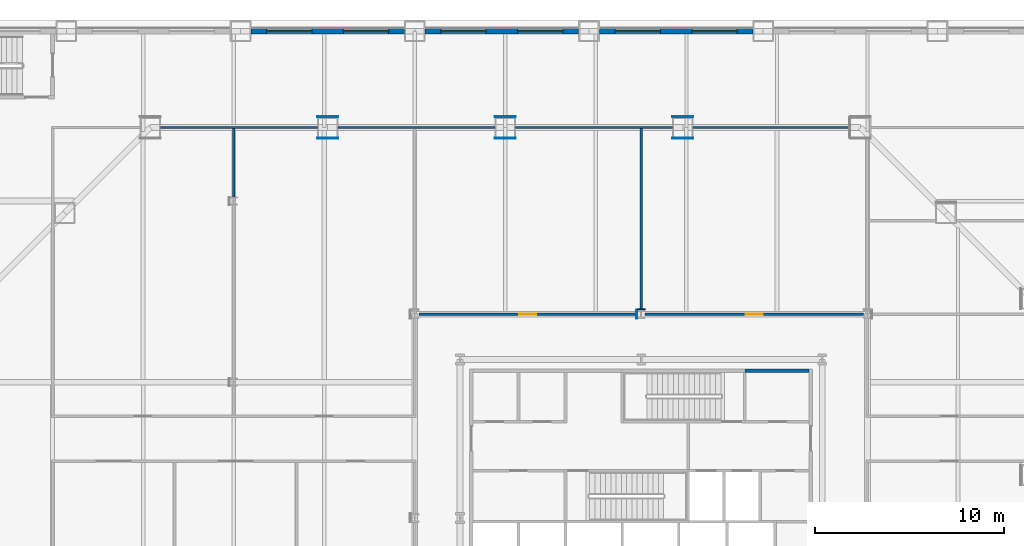
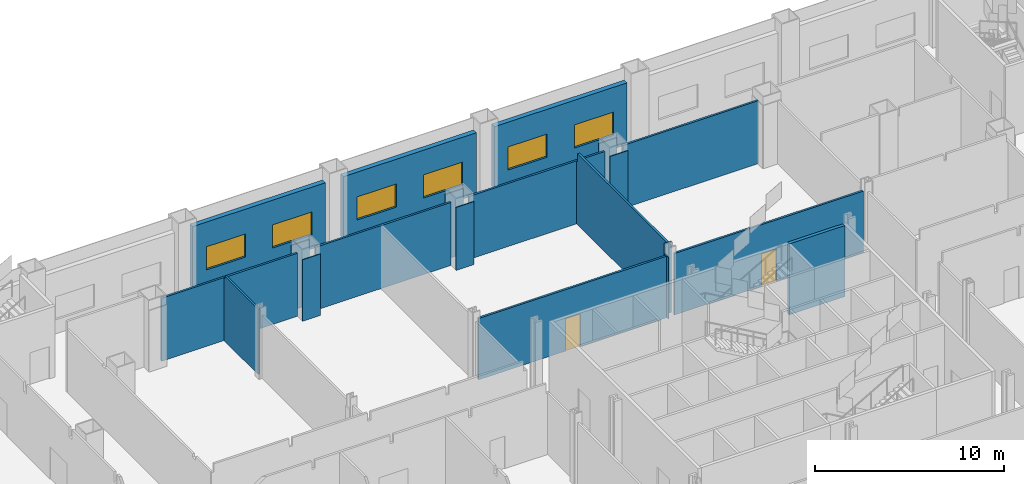
# One storey, part 16 of 26: 20 walls, 6 windows, 2 doors, 8 openings.
"""IFC4 building model written with IfcOpenShell, lengths in metres."""

from ifc_helpers import new_model, si_unit, direction, frame, frame_2d, origin, place, context, subcontext, project, spatial, polyline, rectangle, outline, extrude, material, layer, layer_set, type_object, element, fill, save


model = new_model("IFC4")

# Units and contexts
model_context = context("Model", 3, precision=1e-05, world=origin(), true_north=direction((0.0, 1.0)))
body_context = subcontext(model_context, "Body", "Model", "MODEL_VIEW")
ifc_project = project(units=[si_unit("LENGTHUNIT", "METRE"), si_unit("AREAUNIT", "SQUARE_METRE"), si_unit("VOLUMEUNIT", "CUBIC_METRE"), si_unit("PLANEANGLEUNIT", "RADIAN"), si_unit("MASSUNIT", "GRAM", prefix="KILO")], contexts=[model_context])

# Site, building, storey
site_placement = place(None, origin())
site = spatial("IfcSite", under=ifc_project, at=site_placement, CompositionType="ELEMENT")
building_placement = place(site_placement, origin())
building = spatial("IfcBuilding", under=site, at=building_placement, Name="Cairn Pilgrim Tower", CompositionType="ELEMENT")
storey_placement = place(building_placement, frame((0.0, 0.0, 25.800048828125)))
storey = spatial("IfcBuildingStorey", under=building, at=storey_placement, Name="L04", CompositionType="ELEMENT", Elevation=25.800048828125)

# Wall
ifc_material_1 = material(Name="Concrete C32/40", Category="concrete")
ifc_layer_1 = layer(ifc_material_1, 0.199951171875)
ifc_layer_set_1 = layer_set([ifc_layer_1], Name="CORE OUTER WALL 200 EI 120")
wall_type_1 = type_object("IfcWallType", Name="CORE OUTER WALL 200 EI 120", PredefinedType="SOLIDWALL", material=ifc_layer_set_1)
wall_1_placement = place(storey_placement, frame((12.699951171875, 10.199951171875, 0.0), z_axis=(0.0, 0.0, 1.0), x_axis=(1.0, 0.0, 0.0)))
element("IfcWall", 1, at=wall_1_placement, inside=storey, type_object=wall_type_1, Name="CW:L04:H11-3", PredefinedType="SOLIDWALL", context=body_context, shape_type="SweptSolid", body=[
    extrude(rectangle(XDim=3.400146484375, YDim=0.199951171875, at=frame_2d((1.7001953125, 0.0))), origin(), (0.0, 0.0, 1.0), 4.599853515625),
])

# Wall, opening, door
ifc_material_2 = material(Name="Gypsum partition")
ifc_layer_2 = layer(ifc_material_2, 0.125)
ifc_layer_set_2 = layer_set([ifc_layer_2], Name="PARTITION 125 DRYWALL EI 60")
wall_type_2 = type_object("IfcWallType", Name="PARTITION 125 DRYWALL EI 60", PredefinedType="PARTITIONING", material=ifc_layer_set_2)
wall_2_placement = place(storey_placement, frame((-4.587890625, 13.199951171875, 0.0), z_axis=(0.0, 0.0, 1.0), x_axis=(1.0, 0.0, 0.0)))
wall_2 = element("IfcWall", 2, at=wall_2_placement, inside=storey, type_object=wall_type_2, Name="PARTITION W056", PredefinedType="PARTITIONING", context=body_context, shape_type="SweptSolid", body=[
    extrude(rectangle(XDim=11.575927734375, YDim=0.125, at=frame_2d((5.7880859375, 0.0))), origin(), (0.0, 0.0, 1.0), 3.97998046875),
])
opening_1_placement = place(wall_2_placement, frame((5.337890625, 0.0, 0.0)))
opening_1 = element("IfcOpeningElement", 3, at=opening_1_placement, cuts=wall_2, Name="Opening 0406", PredefinedType="OPENING", context=body_context, shape_type="SweptSolid", body=[
    extrude(rectangle(XDim=0.89990234375, YDim=2.10009765625, at=frame_2d((0.449951171875, 1.050048828125))), frame((0.0, 0.072509765625, 0.0), z_axis=(0.0, -1.0, 0.0), x_axis=(1.0, 0.0, 0.0)), (0.0, 0.0, 1.0), 0.14501953125),
])
ifc_material_3 = material(Name="Timber door leaf", Category="wood")
door_type = type_object("IfcDoorType", Name="ROOM DOOR 900x2100 FD30S", OperationType="NOTDEFINED", PredefinedType="DOOR", material=ifc_material_3)
door_1_placement = place(opening_1_placement, frame((0.89990234375, 0.0, 0.0), z_axis=(0.0, 0.0, 1.0), x_axis=(-1.0, 0.0, 0.0)))
door_1 = element("IfcDoor", 4, at=door_1_placement, inside=storey, type_object=door_type, Name="DOOR 0406", OperationType="SINGLE_SWING_RIGHT", OverallHeight=2.10009765625, OverallWidth=0.89990234375, PredefinedType="DOOR", context=body_context, shape_type="SweptSolid", body=[
    extrude(rectangle(XDim=0.89990234375, YDim=2.10009765625, at=frame_2d((0.449951171875, 1.050048828125))), frame((0.0, 0.02490234375, 0.0), z_axis=(0.0, -1.0, 0.0), x_axis=(1.0, 0.0, 0.0)), (0.0, 0.0, 1.0), 0.050048828125),
])
fill(opening_1, door_1)

wall_3_placement = place(storey_placement, frame((7.412109375, 13.199951171875, 0.0), z_axis=(0.0, 0.0, 1.0), x_axis=(1.0, 0.0, 0.0)))
wall_3 = element("IfcWall", 5, at=wall_3_placement, inside=storey, type_object=wall_type_2, Name="PARTITION W057", PredefinedType="PARTITIONING", context=body_context, shape_type="SweptSolid", body=[
    extrude(rectangle(XDim=11.575927734375, YDim=0.125, at=frame_2d((5.7880859375, 0.0))), origin(), (0.0, 0.0, 1.0), 3.97998046875),
])
opening_2_placement = place(wall_3_placement, frame((5.337890625, 0.0, 0.0)))
opening_2 = element("IfcOpeningElement", 6, at=opening_2_placement, cuts=wall_3, Name="Opening 0407", PredefinedType="OPENING", context=body_context, shape_type="SweptSolid", body=[
    extrude(rectangle(XDim=0.89990234375, YDim=2.10009765625, at=frame_2d((0.449951171875, 1.050048828125))), frame((0.0, 0.072509765625, 0.0), z_axis=(0.0, -1.0, 0.0), x_axis=(1.0, 0.0, 0.0)), (0.0, 0.0, 1.0), 0.14501953125),
])
door_2_placement = place(opening_2_placement, frame((0.89990234375, 0.0, 0.0), z_axis=(0.0, 0.0, 1.0), x_axis=(-1.0, 0.0, 0.0)))
door_2 = element("IfcDoor", 7, at=door_2_placement, inside=storey, type_object=door_type, Name="DOOR 0407", OperationType="SINGLE_SWING_RIGHT", OverallHeight=2.10009765625, OverallWidth=0.89990234375, PredefinedType="DOOR", context=body_context, shape_type="SweptSolid", body=[
    extrude(rectangle(XDim=0.89990234375, YDim=2.10009765625, at=frame_2d((0.449951171875, 1.050048828125))), frame((0.0, 0.02490234375, 0.0), z_axis=(0.0, -1.0, 0.0), x_axis=(1.0, 0.0, 0.0)), (0.0, 0.0, 1.0), 0.050048828125),
])
fill(opening_2, door_2)

# Walls
wall_4_placement = place(storey_placement, frame((7.199951171875, 13.43701171875, 0.0), z_axis=(0.0, 0.0, 1.0), x_axis=(0.0, 1.0, 0.0)))
element("IfcWall", 8, at=wall_4_placement, inside=storey, type_object=wall_type_2, Name="PARTITION W060", PredefinedType="PARTITIONING", context=body_context, shape_type="SweptSolid", body=[
    extrude(outline(polyline([(0.0, 0.0), (9.6005859375, 0.0), (9.6005859375, 4.079833984375), (9.512939453125, 4.079833984375), (9.510986328125, 4.599853515625), (0.0, 4.599853515625), (0.0, 0.0)])), frame((0.0, 0.0625, 0.0), z_axis=(0.0, -1.0, 0.0), x_axis=(1.0, 0.0, 0.0)), (0.0, 0.0, 1.0), 0.125),
])
wall_5_placement = place(storey_placement, frame((-14.39990234375, 19.41259765625, 0.0), z_axis=(0.0, 0.0, 1.0), x_axis=(0.0, 1.0, 0.0)))
element("IfcWall", 9, at=wall_5_placement, inside=storey, type_object=wall_type_2, Name="PARTITION W068", PredefinedType="PARTITIONING", context=body_context, shape_type="SweptSolid", body=[
    extrude(outline(polyline([(0.0, 0.0), (3.625, 0.0), (3.625, 4.079833984375), (3.53759765625, 4.079833984375), (3.535400390625, 4.219970703125), (0.0, 4.219970703125), (0.0, 0.0)])), frame((0.0, 0.0625, 0.0), z_axis=(0.0, -1.0, 0.0), x_axis=(1.0, 0.0, 0.0)), (0.0, 0.0, 1.0), 0.125),
])
for number, where, z_axis, x_axis, name in (
    (10, (-18.277099609375, 23.10009765625, 0.0), (0.0, 0.0, 1.0), (1.0, 0.0, 0.0), "PARTITION W070"),
    (11, (-8.863525390625, 23.10009765625, 0.0), (0.0, 0.0, 1.0), (1.0, 0.0, 0.0), "PARTITION W071"),
    (12, (0.550048828125, 23.10009765625, 0.0), (0.0, 0.0, 1.0), (1.0, 0.0, 0.0), "PARTITION W072"),
    (13, (9.963623046875, 23.10009765625, 0.0), (0.0, 0.0, 1.0), (1.0, 0.0, 0.0), "PARTITION W073"),
):
    element("IfcWall", number, at=place(storey_placement, frame(where, z_axis=z_axis, x_axis=x_axis)), inside=storey, type_object=wall_type_2, Name=name, PredefinedType="PARTITIONING", context=body_context, shape_type="SweptSolid", body=[
        extrude(rectangle(XDim=8.3134765625, YDim=0.125, at=frame_2d((4.15673828125, 0.0))), origin(), (0.0, 0.0, 1.0), 4.079833984375),
    ])
ifc_layer_3 = layer(ifc_material_2, 0.050048828125)
ifc_layer_set_3 = layer_set([ifc_layer_3], Name="PARTITION 50 DRYWALL EI 60")
wall_type_3 = type_object("IfcWallType", Name="PARTITION 50 DRYWALL EI 60", PredefinedType="PARTITIONING", material=ifc_layer_set_3)
wall_6_placement = place(storey_placement, frame((6.988037109375, 13.4619140625, 0.0), z_axis=(0.0, 0.0, 1.0), x_axis=(1.0, 0.0, 0.0)))
element("IfcWall", 14, at=wall_6_placement, inside=storey, type_object=wall_type_3, Name="COLUMN CASING WC34", PredefinedType="PARTITIONING", context=body_context, shape_type="SweptSolid", body=[
    extrude(rectangle(XDim=0.424072265625, YDim=0.050048828125, at=frame_2d((0.2119140625, 0.0))), origin(), (0.0, 0.0, 1.0), 4.599853515625),
])
wall_7_placement = place(storey_placement, frame((6.962890625, 12.962890625, 0.0), z_axis=(0.0, 0.0, 1.0), x_axis=(0.0, 1.0, 0.0)))
element("IfcWall", 15, at=wall_7_placement, inside=storey, type_object=wall_type_3, Name="COLUMN CASING WC36", PredefinedType="PARTITIONING", context=body_context, shape_type="SweptSolid", body=[
    extrude(rectangle(XDim=0.47412109375, YDim=0.050048828125, at=frame_2d((0.237060546875, 0.0))), origin(), (0.0, 0.0, 1.0), 3.97998046875),
])
wall_8_placement = place(storey_placement, frame((-9.963623046875, 22.52490234375, 0.0), z_axis=(0.0, 0.0, 1.0), x_axis=(1.0, 0.0, 0.0)))
element("IfcWall", 16, at=wall_8_placement, inside=storey, type_object=wall_type_3, Name="COLUMN CASING WC41", PredefinedType="PARTITIONING", context=body_context, shape_type="SweptSolid", body=[
    extrude(rectangle(XDim=1.10009765625, YDim=0.050048828125, at=frame_2d((0.550048828125, 0.0))), origin(), (0.0, 0.0, 1.0), 3.97998046875),
])
wall_9_placement = place(storey_placement, frame((-9.963623046875, 23.675048828125, 0.0), z_axis=(0.0, 0.0, 1.0), x_axis=(1.0, 0.0, 0.0)))
element("IfcWall", 17, at=wall_9_placement, inside=storey, type_object=wall_type_3, Name="COLUMN CASING WC42", PredefinedType="PARTITIONING", context=body_context, shape_type="SweptSolid", body=[
    extrude(rectangle(XDim=1.10009765625, YDim=0.050048828125, at=frame_2d((0.550048828125, 0.0))), origin(), (0.0, 0.0, 1.0), 4.219970703125),
])
wall_10_placement = place(storey_placement, frame((-0.550048828125, 22.52490234375, 0.0), z_axis=(0.0, 0.0, 1.0), x_axis=(1.0, 0.0, 0.0)))
element("IfcWall", 18, at=wall_10_placement, inside=storey, type_object=wall_type_3, Name="COLUMN CASING WC43", PredefinedType="PARTITIONING", context=body_context, shape_type="SweptSolid", body=[
    extrude(rectangle(XDim=1.10009765625, YDim=0.050048828125, at=frame_2d((0.550048828125, 0.0))), origin(), (0.0, 0.0, 1.0), 4.079833984375),
])
wall_11_placement = place(storey_placement, frame((-0.550048828125, 23.675048828125, 0.0), z_axis=(0.0, 0.0, 1.0), x_axis=(1.0, 0.0, 0.0)))
element("IfcWall", 19, at=wall_11_placement, inside=storey, type_object=wall_type_3, Name="COLUMN CASING WC44", PredefinedType="PARTITIONING", context=body_context, shape_type="SweptSolid", body=[
    extrude(rectangle(XDim=1.10009765625, YDim=0.050048828125, at=frame_2d((0.550048828125, 0.0))), origin(), (0.0, 0.0, 1.0), 4.219970703125),
])
wall_12_placement = place(storey_placement, frame((8.863525390625, 22.52490234375, 0.0), z_axis=(0.0, 0.0, 1.0), x_axis=(1.0, 0.0, 0.0)))
element("IfcWall", 20, at=wall_12_placement, inside=storey, type_object=wall_type_3, Name="COLUMN CASING WC45", PredefinedType="PARTITIONING", context=body_context, shape_type="SweptSolid", body=[
    extrude(rectangle(XDim=1.10009765625, YDim=0.050048828125, at=frame_2d((0.550048828125, 0.0))), origin(), (0.0, 0.0, 1.0), 4.079833984375),
])
wall_13_placement = place(storey_placement, frame((8.863525390625, 23.675048828125, 0.0), z_axis=(0.0, 0.0, 1.0), x_axis=(1.0, 0.0, 0.0)))
element("IfcWall", 21, at=wall_13_placement, inside=storey, type_object=wall_type_3, Name="COLUMN CASING WC46", PredefinedType="PARTITIONING", context=body_context, shape_type="SweptSolid", body=[
    extrude(rectangle(XDim=1.10009765625, YDim=0.050048828125, at=frame_2d((0.550048828125, 0.0))), origin(), (0.0, 0.0, 1.0), 4.219970703125),
])

# Wall, openings, windows
ifc_material_4 = material(Name="Concrete C35/45 backup wall with bronze aluminium cladding", Category="concrete")
ifc_layer_4 = layer(ifc_material_4, 0.300048828125)
ifc_layer_set_4 = layer_set([ifc_layer_4], Name="PODIUM WALL 300 BRONZE-CLAD")
wall_type_4 = type_object("IfcWallType", Name="PODIUM WALL 300 BRONZE-CLAD", PredefinedType="SOLIDWALL", material=ifc_layer_set_4)
wall_14_placement = place(storey_placement, frame((13.125732421875, 28.199951171875, 0.0), z_axis=(0.0, 0.0, 1.0), x_axis=(-1.0, 0.0, 0.0)))
wall_14 = element("IfcWall", 22, at=wall_14_placement, inside=storey, type_object=wall_type_4, Name="PODIUM EXTERNAL WALL N3-N4", PredefinedType="SOLIDWALL", context=body_context, shape_type="SweptSolid", body=[
    extrude(rectangle(XDim=8.137939453125, YDim=0.300048828125, at=frame_2d((4.06884765625, 0.0))), origin(), (0.0, 0.0, 1.0), 4.0),
])
opening_3_placement = place(wall_14_placement, frame((0.83447265625, 0.0, 0.89990234375)))
opening_3 = element("IfcOpeningElement", 23, at=opening_3_placement, cuts=wall_14, Name="Opening PW15", PredefinedType="OPENING", context=body_context, shape_type="SweptSolid", body=[
    extrude(rectangle(XDim=2.39990234375, YDim=1.5, at=frame_2d((1.199951171875, 0.75))), frame((0.0, 0.16015625, 0.0), z_axis=(0.0, -1.0, 0.0), x_axis=(1.0, 0.0, 0.0)), (0.0, 0.0, 1.0), 0.320068359375),
])
opening_4_placement = place(wall_14_placement, frame((4.9033203125, 0.0, 0.89990234375)))
opening_4 = element("IfcOpeningElement", 24, at=opening_4_placement, cuts=wall_14, Name="Opening PW15", PredefinedType="OPENING", context=body_context, shape_type="SweptSolid", body=[
    extrude(rectangle(XDim=2.39990234375, YDim=1.5, at=frame_2d((1.199951171875, 0.75))), frame((0.0, 0.16015625, 0.0), z_axis=(0.0, -1.0, 0.0), x_axis=(1.0, 0.0, 0.0)), (0.0, 0.0, 1.0), 0.320068359375),
])
ifc_material_5 = material(Name="Bronze anodised aluminium frame with tinted low-E glass", Category="aluminium")
window_type = type_object("IfcWindowType", Name="PODIUM FIXED WINDOW 2400x1500", PartitioningType="SINGLE_PANEL", PredefinedType="WINDOW", material=ifc_material_5)
window_1_placement = place(opening_3_placement, origin())
window_1 = element("IfcWindow", 25, at=window_1_placement, inside=storey, type_object=window_type, Name="PODIUM WINDOW", OverallHeight=1.5, OverallWidth=2.39990234375, PartitioningType="SINGLE_PANEL", PredefinedType="WINDOW", context=body_context, shape_type="SweptSolid", body=[
    extrude(rectangle(XDim=2.39990234375, YDim=1.5, at=frame_2d((1.199951171875, 0.75))), frame((0.0, 0.030029296875, 0.0), z_axis=(0.0, -1.0, 0.0), x_axis=(1.0, 0.0, 0.0)), (0.0, 0.0, 1.0), 0.06005859375),
])
fill(opening_3, window_1)
window_2_placement = place(opening_4_placement, origin())
window_2 = element("IfcWindow", 26, at=window_2_placement, inside=storey, type_object=window_type, Name="PODIUM WINDOW", OverallHeight=1.5, OverallWidth=2.39990234375, PartitioningType="SINGLE_PANEL", PredefinedType="WINDOW", context=body_context, shape_type="SweptSolid", body=[
    extrude(rectangle(XDim=2.39990234375, YDim=1.5, at=frame_2d((1.199951171875, 0.75))), frame((0.0, 0.030029296875, 0.0), z_axis=(0.0, -1.0, 0.0), x_axis=(1.0, 0.0, 0.0)), (0.0, 0.0, 1.0), 0.06005859375),
])
fill(opening_4, window_2)

wall_15_placement = place(storey_placement, frame((3.887939453125, 28.199951171875, 0.0), z_axis=(0.0, 0.0, 1.0), x_axis=(-1.0, 0.0, 0.0)))
wall_15 = element("IfcWall", 27, at=wall_15_placement, inside=storey, type_object=wall_type_4, Name="PODIUM EXTERNAL WALL N4-N5", PredefinedType="SOLIDWALL", context=body_context, shape_type="SweptSolid", body=[
    extrude(rectangle(XDim=8.137939453125, YDim=0.300048828125, at=frame_2d((4.06884765625, 0.0))), origin(), (0.0, 0.0, 1.0), 4.0),
])
opening_5_placement = place(wall_15_placement, frame((0.83447265625, 0.0, 0.89990234375)))
opening_5 = element("IfcOpeningElement", 28, at=opening_5_placement, cuts=wall_15, Name="Opening PW15", PredefinedType="OPENING", context=body_context, shape_type="SweptSolid", body=[
    extrude(rectangle(XDim=2.39990234375, YDim=1.5, at=frame_2d((1.199951171875, 0.75))), frame((0.0, 0.16015625, 0.0), z_axis=(0.0, -1.0, 0.0), x_axis=(1.0, 0.0, 0.0)), (0.0, 0.0, 1.0), 0.320068359375),
])
opening_6_placement = place(wall_15_placement, frame((4.9033203125, 0.0, 0.89990234375)))
opening_6 = element("IfcOpeningElement", 29, at=opening_6_placement, cuts=wall_15, Name="Opening PW15", PredefinedType="OPENING", context=body_context, shape_type="SweptSolid", body=[
    extrude(rectangle(XDim=2.39990234375, YDim=1.5, at=frame_2d((1.199951171875, 0.75))), frame((0.0, 0.16015625, 0.0), z_axis=(0.0, -1.0, 0.0), x_axis=(1.0, 0.0, 0.0)), (0.0, 0.0, 1.0), 0.320068359375),
])
window_3_placement = place(opening_5_placement, origin())
window_3 = element("IfcWindow", 30, at=window_3_placement, inside=storey, type_object=window_type, Name="PODIUM WINDOW", OverallHeight=1.5, OverallWidth=2.39990234375, PartitioningType="SINGLE_PANEL", PredefinedType="WINDOW", context=body_context, shape_type="SweptSolid", body=[
    extrude(rectangle(XDim=2.39990234375, YDim=1.5, at=frame_2d((1.199951171875, 0.75))), frame((0.0, 0.030029296875, 0.0), z_axis=(0.0, -1.0, 0.0), x_axis=(1.0, 0.0, 0.0)), (0.0, 0.0, 1.0), 0.06005859375),
])
fill(opening_5, window_3)
window_4_placement = place(opening_6_placement, origin())
window_4 = element("IfcWindow", 31, at=window_4_placement, inside=storey, type_object=window_type, Name="PODIUM WINDOW", OverallHeight=1.5, OverallWidth=2.39990234375, PartitioningType="SINGLE_PANEL", PredefinedType="WINDOW", context=body_context, shape_type="SweptSolid", body=[
    extrude(rectangle(XDim=2.39990234375, YDim=1.5, at=frame_2d((1.199951171875, 0.75))), frame((0.0, 0.030029296875, 0.0), z_axis=(0.0, -1.0, 0.0), x_axis=(1.0, 0.0, 0.0)), (0.0, 0.0, 1.0), 0.06005859375),
])
fill(opening_6, window_4)

wall_16_placement = place(storey_placement, frame((-5.35009765625, 28.199951171875, 0.0), z_axis=(0.0, 0.0, 1.0), x_axis=(-1.0, 0.0, 0.0)))
wall_16 = element("IfcWall", 32, at=wall_16_placement, inside=storey, type_object=wall_type_4, Name="PODIUM EXTERNAL WALL N5-N6", PredefinedType="SOLIDWALL", context=body_context, shape_type="SweptSolid", body=[
    extrude(rectangle(XDim=8.1376953125, YDim=0.300048828125, at=frame_2d((4.06884765625, 0.0))), origin(), (0.0, 0.0, 1.0), 4.0),
])
opening_7_placement = place(wall_16_placement, frame((0.83447265625, 0.0, 0.89990234375)))
opening_7 = element("IfcOpeningElement", 33, at=opening_7_placement, cuts=wall_16, Name="Opening PW15", PredefinedType="OPENING", context=body_context, shape_type="SweptSolid", body=[
    extrude(rectangle(XDim=2.39990234375, YDim=1.5, at=frame_2d((1.199951171875, 0.75))), frame((0.0, 0.16015625, 0.0), z_axis=(0.0, -1.0, 0.0), x_axis=(1.0, 0.0, 0.0)), (0.0, 0.0, 1.0), 0.320068359375),
])
opening_8_placement = place(wall_16_placement, frame((4.9033203125, 0.0, 0.89990234375)))
opening_8 = element("IfcOpeningElement", 34, at=opening_8_placement, cuts=wall_16, Name="Opening PW15", PredefinedType="OPENING", context=body_context, shape_type="SweptSolid", body=[
    extrude(rectangle(XDim=2.39990234375, YDim=1.5, at=frame_2d((1.199951171875, 0.75))), frame((0.0, 0.16015625, 0.0), z_axis=(0.0, -1.0, 0.0), x_axis=(1.0, 0.0, 0.0)), (0.0, 0.0, 1.0), 0.320068359375),
])
window_5_placement = place(opening_7_placement, origin())
window_5 = element("IfcWindow", 35, at=window_5_placement, inside=storey, type_object=window_type, Name="PODIUM WINDOW", OverallHeight=1.5, OverallWidth=2.39990234375, PartitioningType="SINGLE_PANEL", PredefinedType="WINDOW", context=body_context, shape_type="SweptSolid", body=[
    extrude(rectangle(XDim=2.39990234375, YDim=1.5, at=frame_2d((1.199951171875, 0.75))), frame((0.0, 0.030029296875, 0.0), z_axis=(0.0, -1.0, 0.0), x_axis=(1.0, 0.0, 0.0)), (0.0, 0.0, 1.0), 0.06005859375),
])
fill(opening_7, window_5)
window_6_placement = place(opening_8_placement, origin())
window_6 = element("IfcWindow", 36, at=window_6_placement, inside=storey, type_object=window_type, Name="PODIUM WINDOW", OverallHeight=1.5, OverallWidth=2.39990234375, PartitioningType="SINGLE_PANEL", PredefinedType="WINDOW", context=body_context, shape_type="SweptSolid", body=[
    extrude(rectangle(XDim=2.39990234375, YDim=1.5, at=frame_2d((1.199951171875, 0.75))), frame((0.0, 0.030029296875, 0.0), z_axis=(0.0, -1.0, 0.0), x_axis=(1.0, 0.0, 0.0)), (0.0, 0.0, 1.0), 0.06005859375),
])
fill(opening_8, window_6)

save(model, "model.ifc")
